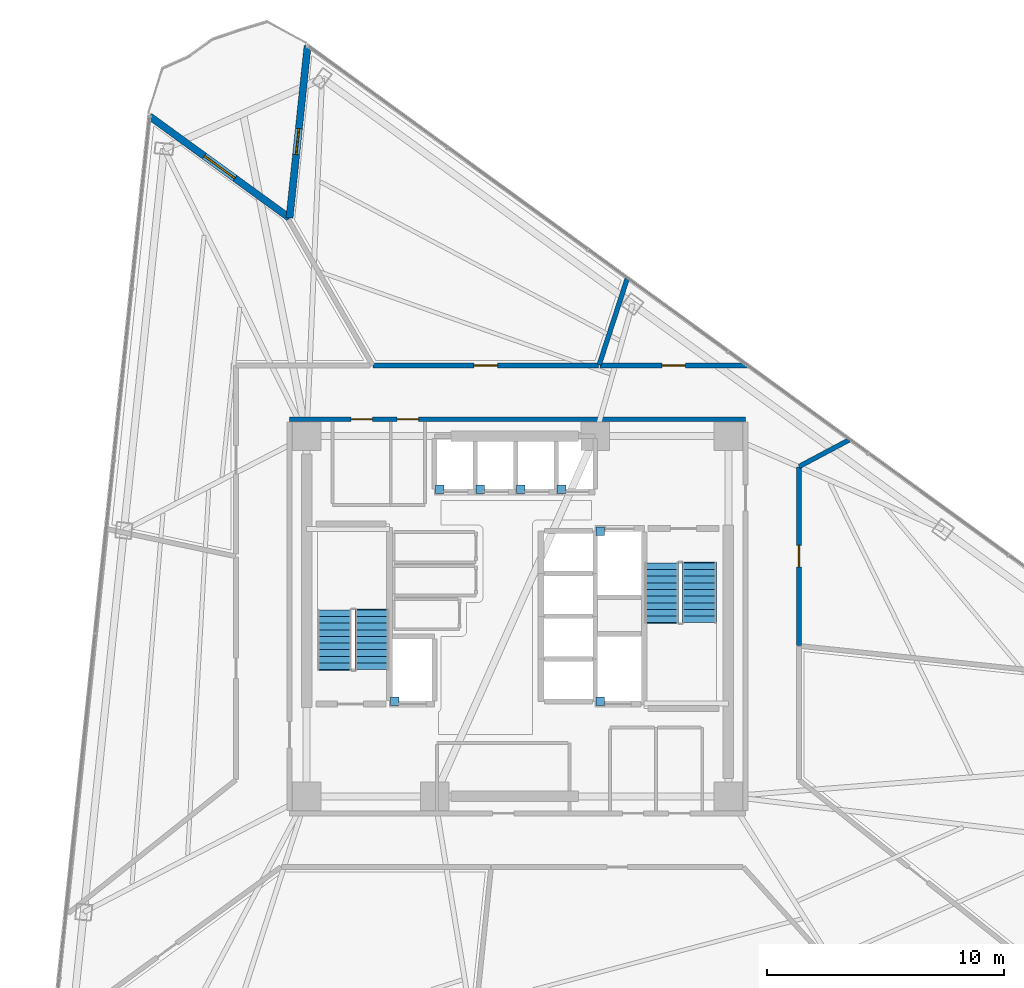
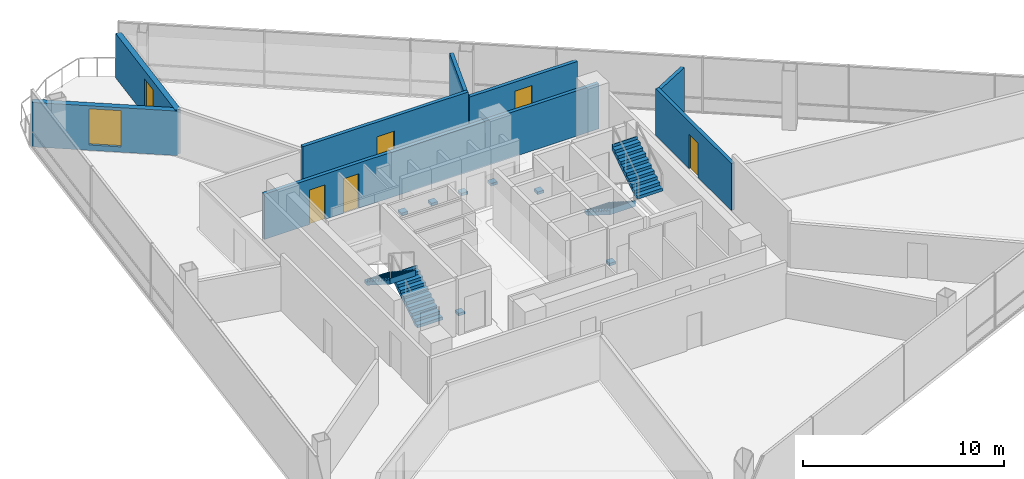
# One storey, part 13 of 19: 8 walls, 7 discrete accessories, 6 doors, 4 stair flights, 1 window, 7 openings, 2 elements without a shape of their own.
"""IFC4 building model written with IfcOpenShell, lengths in metres."""

from ifc_helpers import new_model, si_unit, direction, frame, frame_2d, origin, origin_2d, place, context, subcontext, project, spatial, polyline, rectangle, outline, extrude, material, layer, layer_set, type_object, element, fill, aggregate, save


model = new_model("IFC4")

# Units and contexts
model_context = context("Model", 3, precision=1e-05, world=origin(), true_north=direction((0.0, 1.0)))
body_context = subcontext(model_context, "Body", "Model", "MODEL_VIEW")
ifc_project = project(units=[si_unit("LENGTHUNIT", "METRE"), si_unit("AREAUNIT", "SQUARE_METRE"), si_unit("VOLUMEUNIT", "CUBIC_METRE"), si_unit("PLANEANGLEUNIT", "RADIAN"), si_unit("MASSUNIT", "GRAM", prefix="KILO")], contexts=[model_context])

# Site, building, storey
site_placement = place(None, origin())
site = spatial("IfcSite", under=ifc_project, at=site_placement, CompositionType="ELEMENT")
building_placement = place(site_placement, origin())
building = spatial("IfcBuilding", under=site, at=building_placement, Name="Tharavind Bronze Gate", CompositionType="ELEMENT")
storey_placement = place(building_placement, frame((0.0, 0.0, 116.050048828125)))
storey = spatial("IfcBuildingStorey", under=building, at=storey_placement, Name="L29", CompositionType="ELEMENT", Elevation=116.050048828125)

# Wall, opening, door
ifc_material_1 = material(Name="Concrete C40/50", Category="concrete")
ifc_layer_1 = layer(ifc_material_1, 0.300048828125)
ifc_layer_set_1 = layer_set([ifc_layer_1], Name="Concrete C40/50")
wall_type_1 = type_object("IfcWallType", Name="EXTERIOR SPANDREL WALL 300", PredefinedType="STANDARD", material=ifc_layer_set_1)
wall_1_placement = place(storey_placement, frame((-8.85888671875, 24.07080078125, 0.0), z_axis=(0.0, 0.0, 1.0), x_axis=(-0.104512431924, -0.9945235802, 0.0)))
wall_1 = element("IfcWall", 1, at=wall_1_placement, inside=storey, type_object=wall_type_1, Name="L29 notch cheek wall 1A", PredefinedType="STANDARD", context=body_context, shape_type="SweptSolid", body=[
    extrude(rectangle(XDim=7.300048828125, YDim=0.300048828125, at=frame_2d((3.64990234375, 0.0))), origin(), (0.0, 0.0, 1.0), 2.704833984375),
])
opening_1_placement = place(wall_1_placement, frame((3.508056640625, 0.0, 0.0)))
opening_1 = element("IfcOpeningElement", 2, at=opening_1_placement, cuts=wall_1, Name="Opening ED04", PredefinedType="OPENING", context=body_context, shape_type="SweptSolid", body=[
    extrude(rectangle(XDim=1.10009765625, YDim=2.199951171875, at=frame_2d((0.550048828125, 1.10009765625))), frame((0.0, 0.15990234375, 0.0), z_axis=(0.0, -1.0, 0.0), x_axis=(1.0, 0.0, 0.0)), (0.0, 0.0, 1.0), 0.320048828125),
])
ifc_material_2 = material(Name="Bronze Aluminium & Toughened Glass", Category="aluminium")
door_type_1 = type_object("IfcDoorType", Name="TREE BALCONY ACCESS DOOR 1100X2200", OperationType="SINGLE_SWING_LEFT", PredefinedType="DOOR", material=ifc_material_2)
door_1_placement = place(opening_1_placement, frame((1.10009765625, 0.0, 0.0), z_axis=(0.0, 0.0, 1.0), x_axis=(-1.0, 0.0, 0.0)))
door_1 = element("IfcDoor", 3, at=door_1_placement, inside=storey, type_object=door_type_1, Name="L29 tree balcony access door", OperationType="SINGLE_SWING_LEFT", OverallHeight=2.199951171875, OverallWidth=1.10009765625, PredefinedType="DOOR", context=body_context, shape_type="SweptSolid", body=[
    extrude(rectangle(XDim=1.10009765625, YDim=2.199951171875, at=frame_2d((0.550048828125, 1.10009765625))), frame((0.0, 0.02490234375, 0.0), z_axis=(0.0, -1.0, 0.0), x_axis=(1.0, 0.0, 0.0)), (0.0, 0.0, 1.0), 0.050048828125),
])
fill(opening_1, door_1)

# Wall, opening, window
wall_2_placement = place(storey_placement, frame((-9.621826171875, 16.810791015625, 0.0), z_axis=(0.0, 0.0, 1.0), x_axis=(-0.809002104592, 0.587805745775, 0.0)))
wall_2 = element("IfcWall", 4, at=wall_2_placement, inside=storey, type_object=wall_type_1, Name="L29 notch cheek wall 1B", PredefinedType="STANDARD", context=body_context, shape_type="SweptSolid", body=[
    extrude(rectangle(XDim=7.300048828125, YDim=0.300048828125, at=frame_2d((3.64990234375, 0.0))), origin(), (0.0, 0.0, 1.0), 2.704833984375),
])
opening_2_placement = place(wall_2_placement, frame((2.85009765625, 0.0, 0.324951171875)))
opening_2 = element("IfcOpeningElement", 5, at=opening_2_placement, cuts=wall_2, Name="Opening W05", PredefinedType="OPENING", context=body_context, shape_type="SweptSolid", body=[
    extrude(rectangle(XDim=1.60009765625, YDim=2.199951171875, at=frame_2d((0.800048828125, 1.10009765625))), frame((0.0, 0.15990234375, 0.0), z_axis=(0.0, -1.0, 0.0), x_axis=(1.0, 0.0, 0.0)), (0.0, 0.0, 1.0), 0.320048828125),
])
ifc_material_3 = material(Name="Bronze Aluminium & Low-E Glass", Category="aluminium")
window_type = type_object("IfcWindowType", Name="OFFICE NOTCH BRONZE WINDOW 1600X2200", PartitioningType="DOUBLE_PANEL_VERTICAL", PredefinedType="WINDOW", material=ifc_material_3)
window_placement = place(opening_2_placement, origin())
window = element("IfcWindow", 6, at=window_placement, inside=storey, type_object=window_type, Name="L29 exterior window WL-L29-NCB1-01", OverallHeight=2.199951171875, OverallWidth=1.60009765625, PartitioningType="SINGLE_PANEL", PredefinedType="WINDOW", context=body_context, shape_type="SweptSolid", body=[
    extrude(rectangle(XDim=1.60009765625, YDim=2.199951171875, at=frame_2d((0.800048828125, 1.10009765625))), frame((0.0, 0.030029296875, 0.0), z_axis=(0.0, -1.0, 0.0), x_axis=(1.0, 0.0, 0.0)), (0.0, 0.0, 1.0), 0.06005859375),
])
fill(opening_2, window)

# Wall, openings, doors
ifc_material_4 = material(Name="Aerated Concrete Block", Category="concrete")
ifc_layer_2 = layer(ifc_material_4, 0.199951171875)
ifc_layer_set_2 = layer_set([ifc_layer_2], Name="Aerated Concrete Block")
wall_type_2 = type_object("IfcWallType", Name="FIRE RATED PARTITION 200", PredefinedType="PARTITIONING", material=ifc_layer_set_2)
wall_3_placement = place(storey_placement, frame((9.6201171875, 8.320068359375, 0.0), z_axis=(0.0, 0.0, 1.0), x_axis=(-1.0, 0.0, 0.0)))
wall_3 = element("IfcWall", 7, at=wall_3_placement, inside=storey, type_object=wall_type_2, Name="L29 north core corridor wall", PredefinedType="PARTITIONING", context=body_context, shape_type="SweptSolid", body=[
    extrude(rectangle(XDim=19.240234375, YDim=0.199951171875, at=frame_2d((9.6201171875, 0.0))), origin(), (0.0, 0.0, 1.0), 2.7548828125),
])
opening_3_placement = place(wall_3_placement, frame((15.7451171875, 0.0, 0.0)))
opening_3 = element("IfcOpeningElement", 8, at=opening_3_placement, cuts=wall_3, Name="Opening ID07", PredefinedType="OPENING", context=body_context, shape_type="SweptSolid", body=[
    extrude(rectangle(XDim=0.89990234375, YDim=2.10009765625, at=frame_2d((0.449951171875, 1.050048828125))), frame((0.0, 0.11009765625, 0.0), z_axis=(0.0, -1.0, 0.0), x_axis=(1.0, 0.0, 0.0)), (0.0, 0.0, 1.0), 0.219951171875),
])
opening_4_placement = place(wall_3_placement, frame((13.794921875, 0.0, 0.0)))
opening_4 = element("IfcOpeningElement", 9, at=opening_4_placement, cuts=wall_3, Name="Opening ID07", PredefinedType="OPENING", context=body_context, shape_type="SweptSolid", body=[
    extrude(rectangle(XDim=0.89990234375, YDim=2.10009765625, at=frame_2d((0.449951171875, 1.050048828125))), frame((0.0, 0.11009765625, 0.0), z_axis=(0.0, -1.0, 0.0), x_axis=(1.0, 0.0, 0.0)), (0.0, 0.0, 1.0), 0.219951171875),
])
ifc_material_5 = material(Name="Galvanised Fire Steel", Category="steel")
door_type_2 = type_object("IfcDoorType", Name="PLANT AND RISER FIRE DOOR 900X2100", OperationType="SINGLE_SWING_LEFT", PredefinedType="DOOR", material=ifc_material_5)
door_2_placement = place(opening_3_placement, origin())
door_2 = element("IfcDoor", 10, at=door_2_placement, inside=storey, type_object=door_type_2, Name="L29 Electrical Metering Room fire door", OperationType="SINGLE_SWING_LEFT", OverallHeight=2.10009765625, OverallWidth=0.89990234375, PredefinedType="DOOR", context=body_context, shape_type="SweptSolid", body=[
    extrude(rectangle(XDim=0.89990234375, YDim=2.10009765625, at=frame_2d((0.449951171875, 1.050048828125))), frame((0.0, 0.02490234375, 0.0), z_axis=(0.0, -1.0, 0.0), x_axis=(1.0, 0.0, 0.0)), (0.0, 0.0, 1.0), 0.050048828125),
])
fill(opening_3, door_2)
door_3_placement = place(opening_4_placement, origin())
door_3 = element("IfcDoor", 11, at=door_3_placement, inside=storey, type_object=door_type_2, Name="L29 Linen Cupboard fire door", OperationType="SINGLE_SWING_LEFT", OverallHeight=2.10009765625, OverallWidth=0.89990234375, PredefinedType="DOOR", context=body_context, shape_type="SweptSolid", body=[
    extrude(rectangle(XDim=0.89990234375, YDim=2.10009765625, at=frame_2d((0.449951171875, 1.050048828125))), frame((0.0, 0.02490234375, 0.0), z_axis=(0.0, -1.0, 0.0), x_axis=(1.0, 0.0, 0.0)), (0.0, 0.0, 1.0), 0.050048828125),
])
fill(opening_4, door_3)

# Wall, opening, door
wall_4_placement = place(storey_placement, frame((9.7099609375, 10.580078125, 0.0), z_axis=(0.0, 0.0, 1.0), x_axis=(-1.0, 0.0, 0.0)))
wall_4 = element("IfcWall", 12, at=wall_4_placement, inside=storey, type_object=wall_type_2, Name="L29 Trading Desk Open Office partition", PredefinedType="PARTITIONING", context=body_context, shape_type="SweptSolid", body=[
    extrude(rectangle(XDim=6.23779296875, YDim=0.199951171875, at=frame_2d((3.118896484375, 0.0))), origin(), (0.0, 0.0, 1.0), 2.704833984375),
])
opening_5_placement = place(wall_4_placement, frame((2.618896484375, 0.0, 0.0)))
opening_5 = element("IfcOpeningElement", 13, at=opening_5_placement, cuts=wall_4, Name="Opening ID04", PredefinedType="OPENING", context=body_context, shape_type="SweptSolid", body=[
    extrude(rectangle(XDim=1.0, YDim=2.14990234375, at=frame_2d((0.5, 1.074951171875))), frame((0.0, 0.11009765625, 0.0), z_axis=(0.0, -1.0, 0.0), x_axis=(1.0, 0.0, 0.0)), (0.0, 0.0, 1.0), 0.219951171875),
])
ifc_material_6 = material(Name="Bronze Framed Acoustic Timber", Category="wood")
door_type_3 = type_object("IfcDoorType", Name="OFFICE TENANCY DOOR 1000X2150", OperationType="SINGLE_SWING_RIGHT", PredefinedType="DOOR", material=ifc_material_6)
door_4_placement = place(opening_5_placement, origin())
door_4 = element("IfcDoor", 14, at=door_4_placement, inside=storey, type_object=door_type_3, Name="L29 Trading Desk Open Office door", OperationType="SINGLE_SWING_RIGHT", OverallHeight=2.14990234375, OverallWidth=1.0, PredefinedType="DOOR", context=body_context, shape_type="SweptSolid", body=[
    extrude(rectangle(XDim=1.0, YDim=2.14990234375, at=frame_2d((0.5, 1.074951171875))), frame((0.0, 0.02490234375, 0.0), z_axis=(0.0, -1.0, 0.0), x_axis=(1.0, 0.0, 0.0)), (0.0, 0.0, 1.0), 0.050048828125),
])
fill(opening_5, door_4)

# Wall
wall_5_placement = place(storey_placement, frame((3.4482421875, 10.61279296875, 0.0), z_axis=(0.0, 0.0, 1.0), x_axis=(0.309031469119, 0.951051813044, 0.0)))
element("IfcWall", 15, at=wall_5_placement, inside=storey, type_object=wall_type_2, Name="L29 Trading Desk Open Office partition", PredefinedType="PARTITIONING", context=body_context, shape_type="SweptSolid", body=[
    extrude(rectangle(XDim=3.841796875, YDim=0.199951171875, at=frame_2d((1.9208984375, 0.0))), origin(), (0.0, 0.0, 1.0), 2.704833984375),
])

# Wall, opening, door
wall_6_placement = place(storey_placement, frame((3.41943359375, 10.580078125, 0.0), z_axis=(0.0, 0.0, 1.0), x_axis=(-1.0, 0.0, 0.0)))
wall_6 = element("IfcWall", 16, at=wall_6_placement, inside=storey, type_object=wall_type_2, Name="L29 Risk Analytics Office partition", PredefinedType="PARTITIONING", context=body_context, shape_type="SweptSolid", body=[
    extrude(rectangle(XDim=9.513427734375, YDim=0.199951171875, at=frame_2d((4.7568359375, 0.0))), origin(), (0.0, 0.0, 1.0), 3.044921875),
])
opening_6_placement = place(wall_6_placement, frame((4.257080078125, 0.0, 0.0)))
opening_6 = element("IfcOpeningElement", 17, at=opening_6_placement, cuts=wall_6, Name="Opening ID04", PredefinedType="OPENING", context=body_context, shape_type="SweptSolid", body=[
    extrude(rectangle(XDim=1.0, YDim=2.14990234375, at=frame_2d((0.5, 1.074951171875))), frame((0.0, 0.11009765625, 0.0), z_axis=(0.0, -1.0, 0.0), x_axis=(1.0, 0.0, 0.0)), (0.0, 0.0, 1.0), 0.219951171875),
])
door_5_placement = place(opening_6_placement, origin())
door_5 = element("IfcDoor", 18, at=door_5_placement, inside=storey, type_object=door_type_3, Name="L29 Risk Analytics Office door", OperationType="SINGLE_SWING_RIGHT", OverallHeight=2.14990234375, OverallWidth=1.0, PredefinedType="DOOR", context=body_context, shape_type="SweptSolid", body=[
    extrude(rectangle(XDim=1.0, YDim=2.14990234375, at=frame_2d((0.5, 1.074951171875))), frame((0.0, 0.02490234375, 0.0), z_axis=(0.0, -1.0, 0.0), x_axis=(1.0, 0.0, 0.0)), (0.0, 0.0, 1.0), 0.050048828125),
])
fill(opening_6, door_5)

wall_7_placement = place(storey_placement, frame((11.8798828125, -1.22607421875, 0.0), z_axis=(0.0, 0.0, 1.0), x_axis=(0.0, 1.0, 0.0)))
wall_7 = element("IfcWall", 19, at=wall_7_placement, inside=storey, type_object=wall_type_2, Name="L29 Server Equipment Room partition", PredefinedType="PARTITIONING", context=body_context, shape_type="SweptSolid", body=[
    extrude(rectangle(XDim=7.52783203125, YDim=0.199951171875, at=frame_2d((3.763916015625, 0.0))), origin(), (0.0, 0.0, 1.0), 2.85498046875),
])
opening_7_placement = place(wall_7_placement, frame((3.31396484375, 0.0, 0.0)))
opening_7 = element("IfcOpeningElement", 20, at=opening_7_placement, cuts=wall_7, Name="Opening ID07", PredefinedType="OPENING", context=body_context, shape_type="SweptSolid", body=[
    extrude(rectangle(XDim=0.89990234375, YDim=2.10009765625, at=frame_2d((0.449951171875, 1.050048828125))), frame((0.0, 0.11009765625, 0.0), z_axis=(0.0, -1.0, 0.0), x_axis=(1.0, 0.0, 0.0)), (0.0, 0.0, 1.0), 0.219951171875),
])
door_6_placement = place(opening_7_placement, origin())
door_6 = element("IfcDoor", 21, at=door_6_placement, inside=storey, type_object=door_type_2, Name="L29 Server Equipment Room door", OperationType="SINGLE_SWING_LEFT", OverallHeight=2.10009765625, OverallWidth=0.89990234375, PredefinedType="DOOR", context=body_context, shape_type="SweptSolid", body=[
    extrude(rectangle(XDim=0.89990234375, YDim=2.10009765625, at=frame_2d((0.449951171875, 1.050048828125))), frame((0.0, 0.02490234375, 0.0), z_axis=(0.0, -1.0, 0.0), x_axis=(1.0, 0.0, 0.0)), (0.0, 0.0, 1.0), 0.050048828125),
])
fill(opening_7, door_6)

# Wall
wall_8_placement = place(storey_placement, frame((11.893310546875, 6.32373046875, 0.0), z_axis=(0.0, 0.0, 1.0), x_axis=(0.882960772141, 0.469446775321, 0.0)))
element("IfcWall", 22, at=wall_8_placement, inside=storey, type_object=wall_type_2, Name="L29 Server Equipment Room partition", PredefinedType="PARTITIONING", context=body_context, shape_type="SweptSolid", body=[
    extrude(rectangle(XDim=2.3876953125, YDim=0.199951171875, at=frame_2d((1.19384765625, 0.0))), origin(), (0.0, 0.0, 1.0), 2.704833984375),
])

# Stair, stair flights
stair_type = type_object("IfcStairType", Name="CORE HALF TURN STAIR 1450", PredefinedType="HALF_TURN_STAIR", material=ifc_material_1)
stair_1_placement = place(storey_placement, origin())
stair_1 = element("IfcStair", 23, at=stair_1_placement, inside=storey, type_object=stair_type, Name="L29 Protected Exit Stair ST1", PredefinedType="HALF_TURN_STAIR")
stair_flight_type = type_object("IfcStairFlightType", Name="CORE STAIR FLIGHT 1450", PredefinedType="STRAIGHT", material=ifc_material_1)
stair_flight_1_placement = place(storey_placement, frame((-6.125, -2.25, 0.0), z_axis=(0.0, 0.0, 1.0), x_axis=(0.0, 1.0, 0.0)))
stair_flight_1 = element("IfcStairFlight", 24, at=stair_flight_1_placement, type_object=stair_flight_type, Name="ST1 flight 1", NumberOfRisers=10, NumberOfTreads=9, PredefinedType="STRAIGHT", RiserHeight=0.18, TreadLength=0.28, context=body_context, shape_type="SweptSolid", body=[
    extrude(outline(polyline([(0.0, 0.0), (0.0, 0.179931640625), (0.280029296875, 0.179931640625), (0.280029296875, 0.360107421875), (0.56005859375, 0.360107421875), (0.56005859375, 0.5400390625), (0.840087890625, 0.5400390625), (0.840087890625, 0.719970703125), (1.1201171875, 0.719970703125), (1.1201171875, 0.89990234375), (1.39990234375, 0.89990234375), (1.39990234375, 1.080078125), (1.679931640625, 1.080078125), (1.679931640625, 1.260009765625), (1.9599609375, 1.260009765625), (1.9599609375, 1.43994140625), (2.239990234375, 1.43994140625), (2.239990234375, 1.6201171875), (2.52001953125, 1.6201171875), (2.52001953125, 1.800048828125), (2.555908203125, 1.800048828125), (2.555908203125, 1.44189453125), (0.277099609375, 0.0), (0.0, 0.0)])), frame((0.0, 0.72509765625, 0.0), z_axis=(0.0, -1.0, 0.0), x_axis=(1.0, 0.0, 0.0)), (0.0, 0.0, 1.0), 1.449951171875),
])
stair_flight_2_placement = place(storey_placement, frame((-7.72509765625, 0.27001953125, 1.800048828125), z_axis=(0.0, 0.0, 1.0), x_axis=(0.0, -1.0, 0.0)))
stair_flight_2 = element("IfcStairFlight", 25, at=stair_flight_2_placement, type_object=stair_flight_type, Name="ST1 flight 2", NumberOfRisers=10, NumberOfTreads=9, PredefinedType="STRAIGHT", RiserHeight=0.18, TreadLength=0.28, context=body_context, shape_type="SweptSolid", body=[
    extrude(outline(polyline([(0.0, 0.0), (0.0, 0.179931640625), (0.280029296875, 0.179931640625), (0.280029296875, 0.360107421875), (0.56005859375, 0.360107421875), (0.56005859375, 0.5400390625), (0.840087890625, 0.5400390625), (0.840087890625, 0.719970703125), (1.1201171875, 0.719970703125), (1.1201171875, 0.89990234375), (1.39990234375, 0.89990234375), (1.39990234375, 1.080078125), (1.679931640625, 1.080078125), (1.679931640625, 1.260009765625), (1.9599609375, 1.260009765625), (1.9599609375, 1.43994140625), (2.239990234375, 1.43994140625), (2.239990234375, 1.6201171875), (2.52001953125, 1.6201171875), (2.52001953125, 1.800048828125), (2.555908203125, 1.800048828125), (2.555908203125, 1.44189453125), (0.277099609375, 0.0), (0.0, 0.0)])), frame((0.0, 0.72509765625, 0.0), z_axis=(0.0, -1.0, 0.0), x_axis=(1.0, 0.0, 0.0)), (0.0, 0.0, 1.0), 1.449951171875),
])
aggregate(stair_1, [stair_flight_1, stair_flight_2])

stair_2_placement = place(storey_placement, origin())
stair_2 = element("IfcStair", 26, at=stair_2_placement, inside=storey, type_object=stair_type, Name="L29 Protected Exit Stair ST2", PredefinedType="HALF_TURN_STAIR")
stair_flight_3_placement = place(storey_placement, frame((6.074951171875, 2.25, 0.0), z_axis=(0.0, 0.0, 1.0), x_axis=(0.0, -1.0, 0.0)))
stair_flight_3 = element("IfcStairFlight", 27, at=stair_flight_3_placement, type_object=stair_flight_type, Name="ST2 flight 1", NumberOfRisers=10, NumberOfTreads=9, PredefinedType="STRAIGHT", RiserHeight=0.18, TreadLength=0.28, context=body_context, shape_type="SweptSolid", body=[
    extrude(outline(polyline([(0.0, 0.0), (0.0, 0.179931640625), (0.280029296875, 0.179931640625), (0.280029296875, 0.360107421875), (0.56005859375, 0.360107421875), (0.56005859375, 0.5400390625), (0.840087890625, 0.5400390625), (0.840087890625, 0.719970703125), (1.1201171875, 0.719970703125), (1.1201171875, 0.89990234375), (1.39990234375, 0.89990234375), (1.39990234375, 1.080078125), (1.679931640625, 1.080078125), (1.679931640625, 1.260009765625), (1.9599609375, 1.260009765625), (1.9599609375, 1.43994140625), (2.239990234375, 1.43994140625), (2.239990234375, 1.6201171875), (2.52001953125, 1.6201171875), (2.52001953125, 1.800048828125), (2.555908203125, 1.800048828125), (2.555908203125, 1.44189453125), (0.277099609375, 0.0), (0.0, 0.0)])), frame((0.0, 0.72509765625, 0.0), z_axis=(0.0, -1.0, 0.0), x_axis=(1.0, 0.0, 0.0)), (0.0, 0.0, 1.0), 1.449951171875),
])
stair_flight_4_placement = place(storey_placement, frame((7.675048828125, -0.27001953125, 1.800048828125), z_axis=(0.0, 0.0, 1.0), x_axis=(0.0, 1.0, 0.0)))
stair_flight_4 = element("IfcStairFlight", 28, at=stair_flight_4_placement, type_object=stair_flight_type, Name="ST2 flight 2", NumberOfRisers=10, NumberOfTreads=9, PredefinedType="STRAIGHT", RiserHeight=0.18, TreadLength=0.28, context=body_context, shape_type="SweptSolid", body=[
    extrude(outline(polyline([(0.0, 0.0), (0.0, 0.179931640625), (0.280029296875, 0.179931640625), (0.280029296875, 0.360107421875), (0.56005859375, 0.360107421875), (0.56005859375, 0.5400390625), (0.840087890625, 0.5400390625), (0.840087890625, 0.719970703125), (1.1201171875, 0.719970703125), (1.1201171875, 0.89990234375), (1.39990234375, 0.89990234375), (1.39990234375, 1.080078125), (1.679931640625, 1.080078125), (1.679931640625, 1.260009765625), (1.9599609375, 1.260009765625), (1.9599609375, 1.43994140625), (2.239990234375, 1.43994140625), (2.239990234375, 1.6201171875), (2.52001953125, 1.6201171875), (2.52001953125, 1.800048828125), (2.555908203125, 1.800048828125), (2.555908203125, 1.44189453125), (0.277099609375, 0.0), (0.0, 0.0)])), frame((0.0, 0.72509765625, 0.0), z_axis=(0.0, -1.0, 0.0), x_axis=(1.0, 0.0, 0.0)), (0.0, 0.0, 1.0), 1.449951171875),
])
aggregate(stair_2, [stair_flight_3, stair_flight_4])

# Discrete accessories
ifc_material_7 = material(Name="Galvanised Steel S355", Category="steel")
discrete_accessory_type = type_object("IfcDiscreteAccessoryType", Name="LIFT GUIDE RAIL BRACKET", PredefinedType="BRACKET", material=ifc_material_7)
for number, where, z_axis, x_axis, name in (
    (29, (-3.280029296875, 5.3701171875, 1.1201171875), (0.0, 0.0, 1.0), (1.0, 0.0, 0.0), "Lift PL5 guide rail bracket at L29"),
    (30, (-1.5673828125, 5.3701171875, 1.1201171875), (0.0, 0.0, 1.0), (1.0, 0.0, 0.0), "Lift PL6 guide rail bracket at L29"),
    (31, (0.14501953125, 5.3701171875, 1.1201171875), (0.0, 0.0, 1.0), (1.0, 0.0, 0.0), "Lift PL7 guide rail bracket at L29"),
    (32, (1.857421875, 5.3701171875, 1.1201171875), (0.0, 0.0, 1.0), (1.0, 0.0, 0.0), "Lift PL8 guide rail bracket at L29"),
    (33, (-5.179931640625, -3.580078125, 1.1201171875), (0.0, 0.0, 1.0), (1.0, 0.0, 0.0), "Lift FFL1 guide rail bracket at L29"),
    (34, (3.5, 3.580078125, 1.1201171875), (0.0, 0.0, 1.0), (1.0, 0.0, 0.0), "Lift FFL2 guide rail bracket at L29"),
    (35, (3.5, -3.580078125, 1.1201171875), (0.0, 0.0, 1.0), (1.0, 0.0, 0.0), "Lift SVL1 guide rail bracket at L29"),
):
    element("IfcDiscreteAccessory", number, at=place(storey_placement, frame(where, z_axis=z_axis, x_axis=x_axis)), inside=storey, type_object=discrete_accessory_type, Name=name, PredefinedType="BRACKET", context=body_context, shape_type="SweptSolid", body=[
        extrude(rectangle(XDim=0.360107421875, YDim=0.360107421875, at=origin_2d()), origin(), (0.0, 0.0, 1.0), 0.159912109375),
    ])

save(model, "model.ifc")
